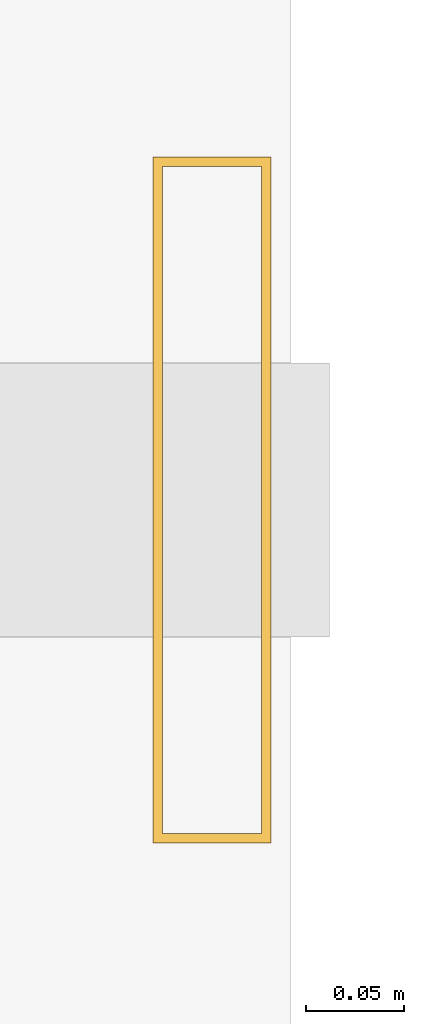
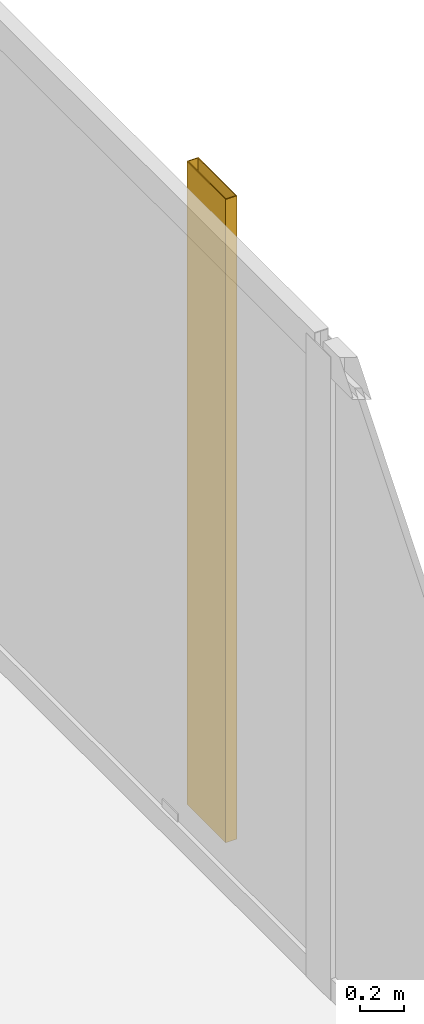
# One storey, part 24 of 24: 1 shading device.
"""IFC4 building model written with IfcOpenShell, lengths in metres."""

from ifc_helpers import new_model, si_unit, direction, frame, origin, origin_2d, place, context, subcontext, project, spatial, hollow_rectangle, extrude, material, material_profile, profile_set, type_object, element, save


model = new_model("IFC4")

# Units and contexts
model_context = context("Model", 3, precision=1e-05, world=origin(), true_north=direction((0.0, 1.0)))
body_context = subcontext(model_context, "Body", "Model", "MODEL_VIEW")
ifc_project = project(units=[si_unit("LENGTHUNIT", "METRE"), si_unit("AREAUNIT", "SQUARE_METRE"), si_unit("VOLUMEUNIT", "CUBIC_METRE"), si_unit("PLANEANGLEUNIT", "RADIAN"), si_unit("MASSUNIT", "GRAM", prefix="KILO")], contexts=[model_context])

# Site, building, storey
site_placement = place(None, origin())
site = spatial("IfcSite", under=ifc_project, at=site_placement, CompositionType="ELEMENT")
building_placement = place(site_placement, origin())
building = spatial("IfcBuilding", under=site, at=building_placement, Name="Kolvaren Waterfront Exchange", CompositionType="ELEMENT")
storey_placement = place(building_placement, frame((0.0, 0.0, 95.5)))
storey = spatial("IfcBuildingStorey", under=building, at=storey_placement, Name="L24", CompositionType="ELEMENT", Elevation=95.5)

# Shading device
ifc_material = material(Name="Anodised bronze aluminium 6063-T6", Category="aluminium")
ifc_material_profile = material_profile(ifc_material, hollow_rectangle(XDim=0.06005859375, YDim=0.35009765625, WallThickness=0.0048828125, at=origin_2d()), Name="BRZ-FIN-350x60x5")
ifc_profile_set = profile_set([ifc_material_profile], Name="Anodised bronze aluminium 6063-T6")
shading_device_type = type_object("IfcShadingDeviceType", Name="ARC-FIN-350", PredefinedType="USERDEFINED", material=ifc_profile_set)
shading_device_placement = place(storey_placement, frame((23.9599609375, 37.60009765625, 0.0), z_axis=(0.0, 0.0, 1.0), x_axis=(1.0, 0.0, 0.0)))
element("IfcShadingDevice", 1, at=shading_device_placement, inside=storey, type_object=shading_device_type, Name="L24 anodised bronze solar shading fin FIN-L24-E3", ObjectType="SOLAR FIN", PredefinedType="USERDEFINED", context=body_context, shape_type="SweptSolid", body=[
    extrude(hollow_rectangle(XDim=0.06005859375, YDim=0.35009765625, WallThickness=0.0048828125, at=origin_2d()), origin(), (0.0, 0.0, 1.0), 3.5400390625),
])

save(model, "model.ifc")
